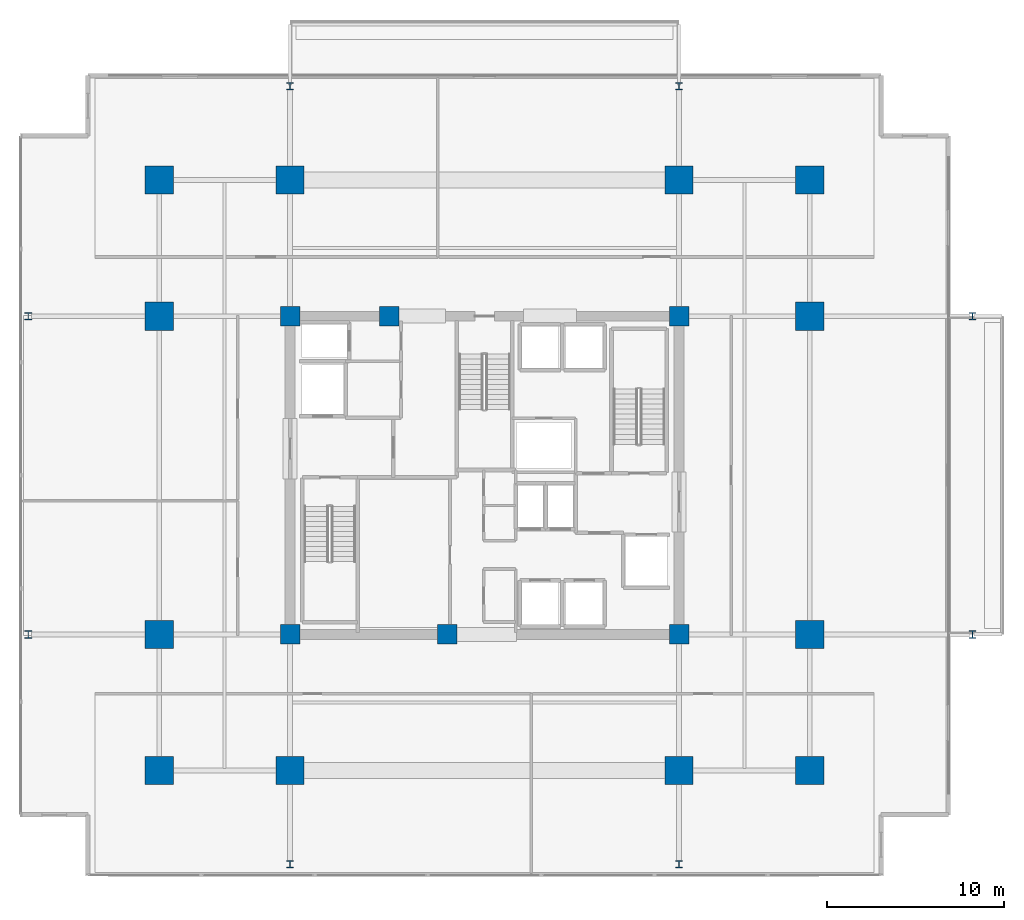
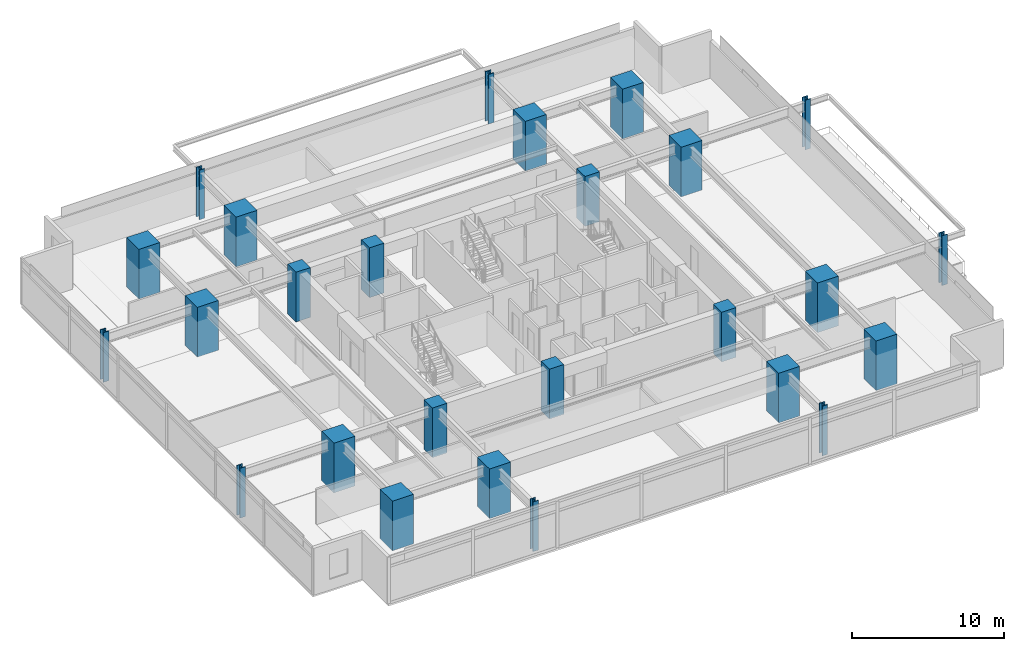
# One storey, part 1 of 20: 26 columns.
"""IFC4 building model written with IfcOpenShell, lengths in metres."""

from ifc_helpers import new_model, si_unit, direction, frame, origin, origin_2d, place, context, subcontext, project, spatial, rectangle, i_section, extrude, material, material_profile, profile_set, type_object, element, save


model = new_model("IFC4")

# Units and contexts
model_context = context("Model", 3, precision=1e-05, world=origin(), true_north=direction((0.0, 1.0)))
body_context = subcontext(model_context, "Body", "Model", "MODEL_VIEW")
ifc_project = project(units=[si_unit("LENGTHUNIT", "METRE"), si_unit("AREAUNIT", "SQUARE_METRE"), si_unit("VOLUMEUNIT", "CUBIC_METRE"), si_unit("PLANEANGLEUNIT", "RADIAN"), si_unit("MASSUNIT", "GRAM", prefix="KILO")], contexts=[model_context])

# Site, building, storey
site_placement = place(None, origin())
site = spatial("IfcSite", under=ifc_project, at=site_placement, CompositionType="ELEMENT")
building_placement = place(site_placement, origin())
building = spatial("IfcBuilding", under=site, at=building_placement, Name="Kovane Verandah Tower", CompositionType="ELEMENT")
storey_placement = place(building_placement, frame((0.0, 0.0, 128.39990234375)))
storey = spatial("IfcBuildingStorey", under=building, at=storey_placement, Name="L29", CompositionType="ELEMENT", Elevation=128.39990234375)

# Columns
ifc_material_1 = material(Name="Concrete C80/95", Category="concrete")
ifc_material_profile_1 = material_profile(ifc_material_1, rectangle(XDim=1.60009765625, YDim=1.60009765625, at=origin_2d()), Name="RC1600x1600")
ifc_profile_set_1 = profile_set([ifc_material_profile_1], Name="Concrete C80/95")
column_type_1 = type_object("IfcColumnType", Name="COL-RC1600", PredefinedType="COLUMN", material=ifc_profile_set_1)
for number, where, z_axis, x_axis, name in (
    (1, (29.0, 10.800048828125, 0.0), (0.0, 0.0, 1.0), (1.0, 0.0, 0.0), "L29 Tower Mega-Column MC-S1"),
    (2, (51.0, 10.800048828125, 0.0), (0.0, 0.0, 1.0), (1.0, 0.0, 0.0), "L29 Tower Mega-Column MC-S2"),
    (3, (29.0, 44.199951171875, 0.0), (0.0, 0.0, 1.0), (1.0, 0.0, 0.0), "L29 Tower Mega-Column MC-N1"),
    (4, (51.0, 44.199951171875, 0.0), (0.0, 0.0, 1.0), (1.0, 0.0, 0.0), "L29 Tower Mega-Column MC-N2"),
    (5, (21.60009765625, 18.5, 0.0), (0.0, 0.0, 1.0), (1.0, 0.0, 0.0), "L29 Tower Mega-Column MC-W1"),
    (6, (21.60009765625, 36.5, 0.0), (0.0, 0.0, 1.0), (1.0, 0.0, 0.0), "L29 Tower Mega-Column MC-W2"),
    (7, (58.39990234375, 18.5, 0.0), (0.0, 0.0, 1.0), (1.0, 0.0, 0.0), "L29 Tower Mega-Column MC-E1"),
    (8, (58.39990234375, 36.5, 0.0), (0.0, 0.0, 1.0), (1.0, 0.0, 0.0), "L29 Tower Mega-Column MC-E2"),
    (9, (21.60009765625, 10.800048828125, 0.0), (0.0, 0.0, 1.0), (1.0, 0.0, 0.0), "L29 Tower Mega-Column MC-SW"),
    (10, (58.39990234375, 10.800048828125, 0.0), (0.0, 0.0, 1.0), (1.0, 0.0, 0.0), "L29 Tower Mega-Column MC-SE"),
    (11, (21.60009765625, 44.199951171875, 0.0), (0.0, 0.0, 1.0), (1.0, 0.0, 0.0), "L29 Tower Mega-Column MC-NW"),
    (12, (58.39990234375, 44.199951171875, 0.0), (0.0, 0.0, 1.0), (1.0, 0.0, 0.0), "L29 Tower Mega-Column MC-NE"),
):
    element("IfcColumn", number, at=place(storey_placement, frame(where, z_axis=z_axis, x_axis=x_axis)), inside=storey, type_object=column_type_1, Name=name, PredefinedType="COLUMN", context=body_context, shape_type="SweptSolid", body=[
        extrude(rectangle(XDim=1.60009765625, YDim=1.60009765625, at=origin_2d()), origin(), (0.0, 0.0, 1.0), 4.0),
    ])
ifc_material_2 = material(Name="Steel S460", Category="steel")
ifc_material_profile_2 = material_profile(ifc_material_2, i_section(OverallWidth=0.412109375, OverallDepth=0.4365234375, WebThickness=0.035888671875, FlangeThickness=0.05810546875, FilletRadius=0.01513671875, at=origin_2d()), Name="UC356x406x467")
ifc_profile_set_2 = profile_set([ifc_material_profile_2], Name="Steel S460")
column_type_2 = type_object("IfcColumnType", Name="COL-UC467", PredefinedType="COLUMN", material=ifc_profile_set_2)
for number, where, z_axis, x_axis, name in (
    (13, (14.199951171875, 18.5, 0.0), (0.0, 0.0, 1.0), (1.0, 0.0, 0.0), "L29 Verandah Perimeter Column VC-W1"),
    (14, (14.199951171875, 36.5, 0.0), (0.0, 0.0, 1.0), (1.0, 0.0, 0.0), "L29 Verandah Perimeter Column VC-W2"),
    (15, (67.60009765625, 18.5, 0.0), (0.0, 0.0, 1.0), (1.0, 0.0, 0.0), "L29 Verandah Perimeter Column VC-E1"),
    (16, (67.60009765625, 36.5, 0.0), (0.0, 0.0, 1.0), (1.0, 0.0, 0.0), "L29 Verandah Perimeter Column VC-E2"),
    (17, (29.0, 5.5, 0.0), (0.0, 0.0, 1.0), (1.0, 0.0, 0.0), "L29 Verandah Perimeter Column VC-S1"),
    (18, (51.0, 5.5, 0.0), (0.0, 0.0, 1.0), (1.0, 0.0, 0.0), "L29 Verandah Perimeter Column VC-S2"),
    (19, (29.0, 49.5, 0.0), (0.0, 0.0, 1.0), (1.0, 0.0, 0.0), "L29 Verandah Perimeter Column VC-N1"),
    (20, (51.0, 49.5, 0.0), (0.0, 0.0, 1.0), (1.0, 0.0, 0.0), "L29 Verandah Perimeter Column VC-N2"),
):
    element("IfcColumn", number, at=place(storey_placement, frame(where, z_axis=z_axis, x_axis=x_axis)), inside=storey, type_object=column_type_2, Name=name, PredefinedType="COLUMN", context=body_context, shape_type="SweptSolid", body=[
        extrude(i_section(OverallWidth=0.412109375, OverallDepth=0.4365234375, WebThickness=0.035888671875, FlangeThickness=0.05810546875, FilletRadius=0.01513671875, at=origin_2d()), origin(), (0.0, 0.0, 1.0), 4.0),
    ])
ifc_material_profile_3 = material_profile(ifc_material_1, rectangle(XDim=1.10009765625, YDim=1.10009765625, at=origin_2d()), Name="RC1100x1100")
ifc_profile_set_3 = profile_set([ifc_material_profile_3], Name="Concrete C80/95")
column_type_3 = type_object("IfcColumnType", Name="PIL-RC1100", PredefinedType="PILASTER", material=ifc_profile_set_3)
for number, where, z_axis, x_axis, name in (
    (21, (29.0, 18.5, 0.0), (0.0, 0.0, 1.0), (1.0, 0.0, 0.0), "L29 Core Pilaster CP-SW"),
    (22, (51.0, 18.5, 0.0), (0.0, 0.0, 1.0), (1.0, 0.0, 0.0), "L29 Core Pilaster CP-SE"),
    (23, (29.0, 36.5, 0.0), (0.0, 0.0, 1.0), (1.0, 0.0, 0.0), "L29 Core Pilaster CP-NW"),
    (24, (51.0, 36.5, 0.0), (0.0, 0.0, 1.0), (1.0, 0.0, 0.0), "L29 Core Pilaster CP-NE"),
    (25, (37.89990234375, 18.5, 0.0), (0.0, 0.0, 1.0), (1.0, 0.0, 0.0), "L29 Core Pilaster CP-S"),
    (26, (34.60009765625, 36.5, 0.0), (0.0, 0.0, 1.0), (1.0, 0.0, 0.0), "L29 Core Pilaster CP-N"),
):
    element("IfcColumn", number, at=place(storey_placement, frame(where, z_axis=z_axis, x_axis=x_axis)), inside=storey, type_object=column_type_3, Name=name, PredefinedType="PILASTER", context=body_context, shape_type="SweptSolid", body=[
        extrude(rectangle(XDim=1.10009765625, YDim=1.10009765625, at=origin_2d()), origin(), (0.0, 0.0, 1.0), 4.0),
    ])

save(model, "model.ifc")
